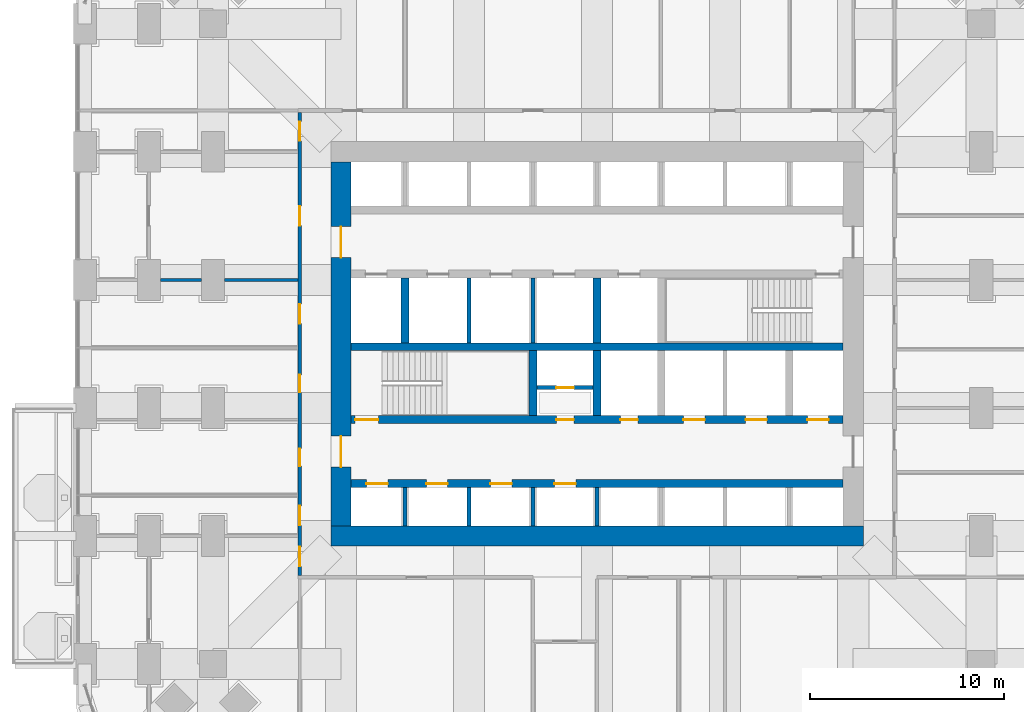
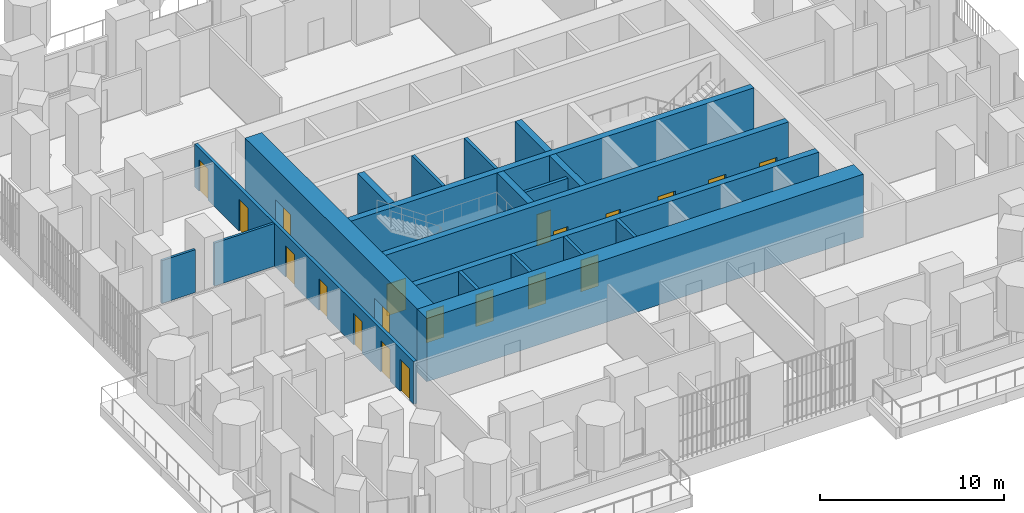
# One storey, part 19 of 27: 20 doors, 19 walls, 20 openings.
"""IFC4 building model written with IfcOpenShell, lengths in metres."""

from ifc_helpers import new_model, si_unit, direction, frame, frame_2d, origin, place, context, subcontext, project, spatial, rectangle, extrude, material, layer, layer_set, type_object, element, fill, save


model = new_model("IFC4")

# Units and contexts
model_context = context("Model", 3, precision=1e-05, world=origin(), true_north=direction((0.0, 1.0)))
body_context = subcontext(model_context, "Body", "Model", "MODEL_VIEW")
ifc_project = project(units=[si_unit("LENGTHUNIT", "METRE"), si_unit("AREAUNIT", "SQUARE_METRE"), si_unit("VOLUMEUNIT", "CUBIC_METRE"), si_unit("PLANEANGLEUNIT", "RADIAN"), si_unit("MASSUNIT", "GRAM", prefix="KILO")], contexts=[model_context])

# Site, building, storey
site_placement = place(None, origin())
site = spatial("IfcSite", under=ifc_project, at=site_placement, CompositionType="ELEMENT")
building_placement = place(site_placement, origin())
building = spatial("IfcBuilding", under=site, at=building_placement, Name="Cobogo Forest Laboratory Tower", CompositionType="ELEMENT")
storey_placement = place(building_placement, frame((0.0, 0.0, 54.89990234375)))
storey = spatial("IfcBuildingStorey", under=building, at=storey_placement, Name="L12", CompositionType="ELEMENT", Elevation=54.89990234375)

# Wall, openings, doors
ifc_material_1 = material(Name="Concrete HA-50 (C50/60)", Category="concrete")
ifc_layer_1 = layer(ifc_material_1, 0.39990234375)
ifc_layer_set_1 = layer_set([ifc_layer_1], Name="CI400 core inner wall 400")
wall_type_1 = type_object("IfcWallType", Name="CI400 core inner wall 400", PredefinedType="SHEAR", material=ifc_layer_set_1)
wall_1_placement = place(storey_placement, frame((13.72509765625, 15.89990234375, 0.0), z_axis=(0.0, 0.0, 1.0), x_axis=(1.0, 0.0, 0.0)))
wall_1 = element("IfcWall", 1, at=wall_1_placement, inside=storey, type_object=wall_type_1, Name="Core wall CI-15.9 L12", PredefinedType="SHEAR", context=body_context, shape_type="SweptSolid", body=[
    extrude(rectangle(XDim=25.349853515625, YDim=0.39990234375, at=frame_2d((12.6748046875, 0.0))), origin(), (0.0, 0.0, 1.0), 4.2001953125),
])
opening_1_placement = place(wall_1_placement, frame((0.78759765625, 0.0, 0.0)))
opening_1 = element("IfcOpeningElement", 2, at=opening_1_placement, cuts=wall_1, Name="Opening L12-LD-LA1", PredefinedType="OPENING", context=body_context, shape_type="SweptSolid", body=[
    extrude(rectangle(XDim=1.10009765625, YDim=2.10009765625, at=frame_2d((0.550048828125, 1.050048828125))), frame((0.0, 0.2099609375, 0.0), z_axis=(0.0, -1.0, 0.0), x_axis=(1.0, 0.0, 0.0)), (0.0, 0.0, 1.0), 0.419921875),
])
opening_2_placement = place(wall_1_placement, frame((3.875, 0.0, 0.0)))
opening_2 = element("IfcOpeningElement", 3, at=opening_2_placement, cuts=wall_1, Name="Opening L12-LD-LA2", PredefinedType="OPENING", context=body_context, shape_type="SweptSolid", body=[
    extrude(rectangle(XDim=1.10009765625, YDim=2.10009765625, at=frame_2d((0.550048828125, 1.050048828125))), frame((0.0, 0.2099609375, 0.0), z_axis=(0.0, -1.0, 0.0), x_axis=(1.0, 0.0, 0.0)), (0.0, 0.0, 1.0), 0.419921875),
])
opening_3_placement = place(wall_1_placement, frame((7.175048828125, 0.0, 0.0)))
opening_3 = element("IfcOpeningElement", 4, at=opening_3_placement, cuts=wall_1, Name="Opening L12-LD-LA3", PredefinedType="OPENING", context=body_context, shape_type="SweptSolid", body=[
    extrude(rectangle(XDim=1.10009765625, YDim=2.10009765625, at=frame_2d((0.550048828125, 1.050048828125))), frame((0.0, 0.2099609375, 0.0), z_axis=(0.0, -1.0, 0.0), x_axis=(1.0, 0.0, 0.0)), (0.0, 0.0, 1.0), 0.419921875),
])
opening_4_placement = place(wall_1_placement, frame((10.47509765625, 0.0, 0.0)))
opening_4 = element("IfcOpeningElement", 5, at=opening_4_placement, cuts=wall_1, Name="Opening L12-LD-LA4", PredefinedType="OPENING", context=body_context, shape_type="SweptSolid", body=[
    extrude(rectangle(XDim=1.10009765625, YDim=2.10009765625, at=frame_2d((0.550048828125, 1.050048828125))), frame((0.0, 0.2099609375, 0.0), z_axis=(0.0, -1.0, 0.0), x_axis=(1.0, 0.0, 0.0)), (0.0, 0.0, 1.0), 0.419921875),
])
ifc_material_2 = material(Name="Stainless steel lift door", Category="steel")
door_type_1 = type_object("IfcDoorType", Name="LD lift landing door 1100", OperationType="DOUBLE_DOOR_SLIDING", PredefinedType="DOOR", material=ifc_material_2)
door_1_placement = place(opening_1_placement, origin())
door_1 = element("IfcDoor", 6, at=door_1_placement, inside=storey, type_object=door_type_1, Name="Lift landing door LA1 L12", OperationType="DOUBLE_DOOR_SLIDING", OverallHeight=2.10009765625, OverallWidth=1.10009765625, PredefinedType="DOOR", context=body_context, shape_type="SweptSolid", body=[
    extrude(rectangle(XDim=1.10009765625, YDim=2.10009765625, at=frame_2d((0.550048828125, 1.050048828125))), frame((0.0, 0.02490234375, 0.0), z_axis=(0.0, -1.0, 0.0), x_axis=(1.0, 0.0, 0.0)), (0.0, 0.0, 1.0), 0.050048828125),
])
fill(opening_1, door_1)
door_2_placement = place(opening_2_placement, origin())
door_2 = element("IfcDoor", 7, at=door_2_placement, inside=storey, type_object=door_type_1, Name="Lift landing door LA2 L12", OperationType="DOUBLE_DOOR_SLIDING", OverallHeight=2.10009765625, OverallWidth=1.10009765625, PredefinedType="DOOR", context=body_context, shape_type="SweptSolid", body=[
    extrude(rectangle(XDim=1.10009765625, YDim=2.10009765625, at=frame_2d((0.550048828125, 1.050048828125))), frame((0.0, 0.02490234375, 0.0), z_axis=(0.0, -1.0, 0.0), x_axis=(1.0, 0.0, 0.0)), (0.0, 0.0, 1.0), 0.050048828125),
])
fill(opening_2, door_2)
door_3_placement = place(opening_3_placement, origin())
door_3 = element("IfcDoor", 8, at=door_3_placement, inside=storey, type_object=door_type_1, Name="Lift landing door LA3 L12", OperationType="DOUBLE_DOOR_SLIDING", OverallHeight=2.10009765625, OverallWidth=1.10009765625, PredefinedType="DOOR", context=body_context, shape_type="SweptSolid", body=[
    extrude(rectangle(XDim=1.10009765625, YDim=2.10009765625, at=frame_2d((0.550048828125, 1.050048828125))), frame((0.0, 0.02490234375, 0.0), z_axis=(0.0, -1.0, 0.0), x_axis=(1.0, 0.0, 0.0)), (0.0, 0.0, 1.0), 0.050048828125),
])
fill(opening_3, door_3)
door_4_placement = place(opening_4_placement, origin())
door_4 = element("IfcDoor", 9, at=door_4_placement, inside=storey, type_object=door_type_1, Name="Lift landing door LA4 L12", OperationType="DOUBLE_DOOR_SLIDING", OverallHeight=2.10009765625, OverallWidth=1.10009765625, PredefinedType="DOOR", context=body_context, shape_type="SweptSolid", body=[
    extrude(rectangle(XDim=1.10009765625, YDim=2.10009765625, at=frame_2d((0.550048828125, 1.050048828125))), frame((0.0, 0.02490234375, 0.0), z_axis=(0.0, -1.0, 0.0), x_axis=(1.0, 0.0, 0.0)), (0.0, 0.0, 1.0), 0.050048828125),
])
fill(opening_4, door_4)

wall_2_placement = place(storey_placement, frame((13.72509765625, 19.199951171875, 0.0), z_axis=(0.0, 0.0, 1.0), x_axis=(1.0, 0.0, 0.0)))
wall_2 = element("IfcWall", 10, at=wall_2_placement, inside=storey, type_object=wall_type_1, Name="Core wall CI-19.2 L12", PredefinedType="SHEAR", context=body_context, shape_type="SweptSolid", body=[
    extrude(rectangle(XDim=25.349853515625, YDim=0.39990234375, at=frame_2d((12.6748046875, 0.0))), origin(), (0.0, 0.0, 1.0), 4.2001953125),
])
opening_5_placement = place(wall_2_placement, frame((10.574951171875, 0.0, 0.0)))
opening_5 = element("IfcOpeningElement", 11, at=opening_5_placement, cuts=wall_2, Name="Opening L12-D24", PredefinedType="OPENING", context=body_context, shape_type="SweptSolid", body=[
    extrude(rectangle(XDim=0.89990234375, YDim=2.10009765625, at=frame_2d((0.449951171875, 1.050048828125))), frame((0.0, 0.2099609375, 0.0), z_axis=(0.0, -1.0, 0.0), x_axis=(1.0, 0.0, 0.0)), (0.0, 0.0, 1.0), 0.419921875),
])
opening_6_placement = place(wall_2_placement, frame((13.875, 0.0, 0.0)))
opening_6 = element("IfcOpeningElement", 12, at=opening_6_placement, cuts=wall_2, Name="Opening L12-D25", PredefinedType="OPENING", context=body_context, shape_type="SweptSolid", body=[
    extrude(rectangle(XDim=0.89990234375, YDim=2.10009765625, at=frame_2d((0.449951171875, 1.050048828125))), frame((0.0, 0.2099609375, 0.0), z_axis=(0.0, -1.0, 0.0), x_axis=(1.0, 0.0, 0.0)), (0.0, 0.0, 1.0), 0.419921875),
])
opening_7_placement = place(wall_2_placement, frame((0.199951171875, 0.0, 0.0)))
opening_7 = element("IfcOpeningElement", 13, at=opening_7_placement, cuts=wall_2, Name="Opening L12-D23", PredefinedType="OPENING", context=body_context, shape_type="SweptSolid", body=[
    extrude(rectangle(XDim=1.199951171875, YDim=2.10009765625, at=frame_2d((0.60009765625, 1.050048828125))), frame((0.0, 0.2099609375, 0.0), z_axis=(0.0, -1.0, 0.0), x_axis=(1.0, 0.0, 0.0)), (0.0, 0.0, 1.0), 0.419921875),
])
opening_8_placement = place(wall_2_placement, frame((23.512451171875, 0.0, 0.0)))
opening_8 = element("IfcOpeningElement", 14, at=opening_8_placement, cuts=wall_2, Name="Opening L12-LD-FL2", PredefinedType="OPENING", context=body_context, shape_type="SweptSolid", body=[
    extrude(rectangle(XDim=1.10009765625, YDim=2.10009765625, at=frame_2d((0.550048828125, 1.050048828125))), frame((0.0, 0.2099609375, 0.0), z_axis=(0.0, -1.0, 0.0), x_axis=(1.0, 0.0, 0.0)), (0.0, 0.0, 1.0), 0.419921875),
])
opening_9_placement = place(wall_2_placement, frame((17.125, 0.0, 0.0)))
opening_9 = element("IfcOpeningElement", 15, at=opening_9_placement, cuts=wall_2, Name="Opening L12-LD-LS1", PredefinedType="OPENING", context=body_context, shape_type="SweptSolid", body=[
    extrude(rectangle(XDim=1.10009765625, YDim=2.10009765625, at=frame_2d((0.550048828125, 1.050048828125))), frame((0.0, 0.2099609375, 0.0), z_axis=(0.0, -1.0, 0.0), x_axis=(1.0, 0.0, 0.0)), (0.0, 0.0, 1.0), 0.419921875),
])
opening_10_placement = place(wall_2_placement, frame((20.324951171875, 0.0, 0.0)))
opening_10 = element("IfcOpeningElement", 16, at=opening_10_placement, cuts=wall_2, Name="Opening L12-LD-LS2", PredefinedType="OPENING", context=body_context, shape_type="SweptSolid", body=[
    extrude(rectangle(XDim=1.10009765625, YDim=2.10009765625, at=frame_2d((0.550048828125, 1.050048828125))), frame((0.0, 0.2099609375, 0.0), z_axis=(0.0, -1.0, 0.0), x_axis=(1.0, 0.0, 0.0)), (0.0, 0.0, 1.0), 0.419921875),
])
ifc_material_3 = material(Name="Steel fire door", Category="steel")
door_type_2 = type_object("IfcDoorType", Name="DS1 protected stair door 1200 EI2 60", OperationType="SINGLE_SWING_LEFT", PredefinedType="DOOR", material=ifc_material_3)
door_5_placement = place(opening_7_placement, origin())
door_5 = element("IfcDoor", 17, at=door_5_placement, inside=storey, type_object=door_type_2, Name="Door L12-ST1", OperationType="SINGLE_SWING_LEFT", OverallHeight=2.10009765625, OverallWidth=1.199951171875, PredefinedType="DOOR", context=body_context, shape_type="SweptSolid", body=[
    extrude(rectangle(XDim=1.199951171875, YDim=2.10009765625, at=frame_2d((0.60009765625, 1.050048828125))), frame((0.0, 0.02490234375, 0.0), z_axis=(0.0, -1.0, 0.0), x_axis=(1.0, 0.0, 0.0)), (0.0, 0.0, 1.0), 0.050048828125),
])
fill(opening_7, door_5)
door_type_3 = type_object("IfcDoorType", Name="FD4 riser access door 900 EI2 60", OperationType="SINGLE_SWING_LEFT", PredefinedType="DOOR", material=ifc_material_3)
door_6_placement = place(opening_5_placement, origin())
door_6 = element("IfcDoor", 18, at=door_6_placement, inside=storey, type_object=door_type_3, Name="Door L12-R1V", OperationType="SINGLE_SWING_LEFT", OverallHeight=2.10009765625, OverallWidth=0.89990234375, PredefinedType="DOOR", context=body_context, shape_type="SweptSolid", body=[
    extrude(rectangle(XDim=0.89990234375, YDim=2.10009765625, at=frame_2d((0.449951171875, 1.050048828125))), frame((0.0, 0.02490234375, 0.0), z_axis=(0.0, -1.0, 0.0), x_axis=(1.0, 0.0, 0.0)), (0.0, 0.0, 1.0), 0.050048828125),
])
fill(opening_5, door_6)
door_7_placement = place(opening_6_placement, origin())
door_7 = element("IfcDoor", 19, at=door_7_placement, inside=storey, type_object=door_type_3, Name="Door L12-R2", OperationType="SINGLE_SWING_RIGHT", OverallHeight=2.10009765625, OverallWidth=0.89990234375, PredefinedType="DOOR", context=body_context, shape_type="SweptSolid", body=[
    extrude(rectangle(XDim=0.89990234375, YDim=2.10009765625, at=frame_2d((0.449951171875, 1.050048828125))), frame((0.0, 0.02490234375, 0.0), z_axis=(0.0, -1.0, 0.0), x_axis=(1.0, 0.0, 0.0)), (0.0, 0.0, 1.0), 0.050048828125),
])
fill(opening_6, door_7)
door_8_placement = place(opening_8_placement, origin())
door_8 = element("IfcDoor", 20, at=door_8_placement, inside=storey, type_object=door_type_1, Name="Lift landing door FL2 L12", OperationType="DOUBLE_DOOR_SLIDING", OverallHeight=2.10009765625, OverallWidth=1.10009765625, PredefinedType="DOOR", context=body_context, shape_type="SweptSolid", body=[
    extrude(rectangle(XDim=1.10009765625, YDim=2.10009765625, at=frame_2d((0.550048828125, 1.050048828125))), frame((0.0, 0.02490234375, 0.0), z_axis=(0.0, -1.0, 0.0), x_axis=(1.0, 0.0, 0.0)), (0.0, 0.0, 1.0), 0.050048828125),
])
fill(opening_8, door_8)
door_9_placement = place(opening_9_placement, origin())
door_9 = element("IfcDoor", 21, at=door_9_placement, inside=storey, type_object=door_type_1, Name="Lift landing door LS1 L12", OperationType="DOUBLE_DOOR_SLIDING", OverallHeight=2.10009765625, OverallWidth=1.10009765625, PredefinedType="DOOR", context=body_context, shape_type="SweptSolid", body=[
    extrude(rectangle(XDim=1.10009765625, YDim=2.10009765625, at=frame_2d((0.550048828125, 1.050048828125))), frame((0.0, 0.02490234375, 0.0), z_axis=(0.0, -1.0, 0.0), x_axis=(1.0, 0.0, 0.0)), (0.0, 0.0, 1.0), 0.050048828125),
])
fill(opening_9, door_9)
door_10_placement = place(opening_10_placement, origin())
door_10 = element("IfcDoor", 22, at=door_10_placement, inside=storey, type_object=door_type_1, Name="Lift landing door LS2 L12", OperationType="DOUBLE_DOOR_SLIDING", OverallHeight=2.10009765625, OverallWidth=1.10009765625, PredefinedType="DOOR", context=body_context, shape_type="SweptSolid", body=[
    extrude(rectangle(XDim=1.10009765625, YDim=2.10009765625, at=frame_2d((0.550048828125, 1.050048828125))), frame((0.0, 0.02490234375, 0.0), z_axis=(0.0, -1.0, 0.0), x_axis=(1.0, 0.0, 0.0)), (0.0, 0.0, 1.0), 0.050048828125),
])
fill(opening_10, door_10)

# Walls
wall_3_placement = place(storey_placement, frame((13.72509765625, 22.949951171875, 0.0), z_axis=(0.0, 0.0, 1.0), x_axis=(1.0, 0.0, 0.0)))
element("IfcWall", 23, at=wall_3_placement, inside=storey, type_object=wall_type_1, Name="Core wall CI-22.95 L12", PredefinedType="SHEAR", context=body_context, shape_type="SweptSolid", body=[
    extrude(rectangle(XDim=25.349853515625, YDim=0.39990234375, at=frame_2d((12.6748046875, 0.0))), origin(), (0.0, 0.0, 1.0), 4.2001953125),
])
for number, where, z_axis, x_axis, name in (
    (24, (23.10009765625, 19.39990234375, 0.0), (0.0, 0.0, 1.0), (0.0, 1.0, 0.0), "Core wall CX-23.1 L12"),
    (25, (26.39990234375, 19.39990234375, 0.0), (0.0, 0.0, 1.0), (0.0, 1.0, 0.0), "Core wall CX-26.4S L12"),
    (26, (16.5, 23.14990234375, 0.0), (0.0, 0.0, 1.0), (0.0, 1.0, 0.0), "Core wall CX-16.5 L12"),
    (27, (26.39990234375, 23.14990234375, 0.0), (0.0, 0.0, 1.0), (0.0, 1.0, 0.0), "Core wall CX-26.4N L12"),
):
    element("IfcWall", number, at=place(storey_placement, frame(where, z_axis=z_axis, x_axis=x_axis)), inside=storey, type_object=wall_type_1, Name=name, PredefinedType="SHEAR", context=body_context, shape_type="SweptSolid", body=[
        extrude(rectangle(XDim=3.35009765625, YDim=0.39990234375, at=frame_2d((1.675048828125, 0.0))), origin(), (0.0, 0.0, 1.0), 4.2001953125),
    ])
ifc_layer_2 = layer(ifc_material_1, 1.050048828125)
ifc_layer_set_2 = layer_set([ifc_layer_2], Name="CW1050 core outer wall 1050")
wall_type_2 = type_object("IfcWallType", Name="CW1050 core outer wall 1050", PredefinedType="SHEAR", material=ifc_layer_set_2)
wall_4_placement = place(storey_placement, frame((12.675048828125, 13.199951171875, 0.0), z_axis=(0.0, 0.0, 1.0), x_axis=(1.0, 0.0, 0.0)))
element("IfcWall", 28, at=wall_4_placement, inside=storey, type_object=wall_type_2, Name="Core wall CO-S L12", PredefinedType="SHEAR", context=body_context, shape_type="SweptSolid", body=[
    extrude(rectangle(XDim=27.449951171875, YDim=1.050048828125, at=frame_2d((13.72509765625, 0.0))), origin(), (0.0, 0.0, 1.0), 4.2001953125),
])

# Wall, openings, doors
wall_5_placement = place(storey_placement, frame((13.199951171875, 32.47509765625, 0.0), z_axis=(0.0, 0.0, 1.0), x_axis=(0.0, -1.0, 0.0)))
wall_5 = element("IfcWall", 29, at=wall_5_placement, inside=storey, type_object=wall_type_2, Name="Core wall CO-W L12", PredefinedType="SHEAR", context=body_context, shape_type="SweptSolid", body=[
    extrude(rectangle(XDim=18.75, YDim=1.050048828125, at=frame_2d((9.375, 0.0))), origin(), (0.0, 0.0, 1.0), 4.2001953125),
])
opening_11_placement = place(wall_5_placement, frame((14.125, 0.0, 0.0)))
opening_11 = element("IfcOpeningElement", 30, at=opening_11_placement, cuts=wall_5, Name="Opening L12-D19", PredefinedType="OPENING", context=body_context, shape_type="SweptSolid", body=[
    extrude(rectangle(XDim=1.60009765625, YDim=2.10009765625, at=frame_2d((0.800048828125, 1.050048828125))), frame((0.0, 0.534912109375, 0.0), z_axis=(0.0, -1.0, 0.0), x_axis=(1.0, 0.0, 0.0)), (0.0, 0.0, 1.0), 1.070068359375),
])
opening_12_placement = place(wall_5_placement, frame((3.324951171875, 0.0, 0.0)))
opening_12 = element("IfcOpeningElement", 31, at=opening_12_placement, cuts=wall_5, Name="Opening L12-D34", PredefinedType="OPENING", context=body_context, shape_type="SweptSolid", body=[
    extrude(rectangle(XDim=1.60009765625, YDim=2.10009765625, at=frame_2d((0.800048828125, 1.050048828125))), frame((0.0, 0.534912109375, 0.0), z_axis=(0.0, -1.0, 0.0), x_axis=(1.0, 0.0, 0.0)), (0.0, 0.0, 1.0), 1.070068359375),
])
door_type_4 = type_object("IfcDoorType", Name="DS2 protected lobby door pair 1600 EI2 60", OperationType="DOUBLE_DOOR_DOUBLE_SWING", PredefinedType="DOOR", material=ifc_material_3)
door_11_placement = place(opening_11_placement, origin())
door_11 = element("IfcDoor", 32, at=door_11_placement, inside=storey, type_object=door_type_4, Name="Door L12-CO-W-S", OperationType="DOUBLE_DOOR_DOUBLE_SWING", OverallHeight=2.10009765625, OverallWidth=1.60009765625, PredefinedType="DOOR", context=body_context, shape_type="SweptSolid", body=[
    extrude(rectangle(XDim=1.60009765625, YDim=2.10009765625, at=frame_2d((0.800048828125, 1.050048828125))), frame((0.0, 0.02490234375, 0.0), z_axis=(0.0, -1.0, 0.0), x_axis=(1.0, 0.0, 0.0)), (0.0, 0.0, 1.0), 0.050048828125),
])
fill(opening_11, door_11)
door_12_placement = place(opening_12_placement, origin())
door_12 = element("IfcDoor", 33, at=door_12_placement, inside=storey, type_object=door_type_4, Name="Door L12-CO-W-N", OperationType="DOUBLE_DOOR_DOUBLE_SWING", OverallHeight=2.10009765625, OverallWidth=1.60009765625, PredefinedType="DOOR", context=body_context, shape_type="SweptSolid", body=[
    extrude(rectangle(XDim=1.60009765625, YDim=2.10009765625, at=frame_2d((0.800048828125, 1.050048828125))), frame((0.0, 0.02490234375, 0.0), z_axis=(0.0, -1.0, 0.0), x_axis=(1.0, 0.0, 0.0)), (0.0, 0.0, 1.0), 0.050048828125),
])
fill(opening_12, door_12)

# Walls
ifc_material_4 = material(Name="Gypsum board on steel studs", Category="steel")
ifc_layer_3 = layer(ifc_material_4, 0.14990234375)
ifc_layer_set_3 = layer_set([ifc_layer_3], Name="PT1 laboratory partition 150")
wall_type_3 = type_object("IfcWallType", Name="PT1 laboratory partition 150", PredefinedType="PARTITIONING", material=ifc_layer_set_3)
wall_6_placement = place(storey_placement, frame((3.89990234375, 26.39990234375, 0.0), z_axis=(0.0, 0.0, 1.0), x_axis=(1.0, 0.0, 0.0)))
element("IfcWall", 34, at=wall_6_placement, inside=storey, type_object=wall_type_3, Name="Partition CUT-W26.4-2 L12", PredefinedType="PARTITIONING", context=body_context, shape_type="SweptSolid", body=[
    extrude(rectangle(XDim=2.10009765625, YDim=0.14990234375, at=frame_2d((1.050048828125, 0.0))), origin(), (0.0, 0.0, 1.0), 2.85009765625),
])
wall_7_placement = place(storey_placement, frame((7.199951171875, 26.39990234375, 0.0), z_axis=(0.0, 0.0, 1.0), x_axis=(1.0, 0.0, 0.0)))
element("IfcWall", 35, at=wall_7_placement, inside=storey, type_object=wall_type_3, Name="Partition CUT-W26.4-3 L12", PredefinedType="PARTITIONING", context=body_context, shape_type="SweptSolid", body=[
    extrude(rectangle(XDim=3.775146484375, YDim=0.14990234375, at=frame_2d((1.8876953125, 0.0))), origin(), (0.0, 0.0, 1.0), 2.85009765625),
])

# Wall, openings, doors
ifc_layer_4 = layer(ifc_material_4, 0.199951171875)
ifc_layer_set_4 = layer_set([ifc_layer_4], Name="PT2 fire-rated corridor partition 200")
wall_type_4 = type_object("IfcWallType", Name="PT2 fire-rated corridor partition 200", PredefinedType="PARTITIONING", material=ifc_layer_set_4)
wall_8_placement = place(storey_placement, frame((11.074951171875, 11.175048828125, 0.0), z_axis=(0.0, 0.0, 1.0), x_axis=(0.0, 1.0, 0.0)))
wall_8 = element("IfcWall", 36, at=wall_8_placement, inside=storey, type_object=wall_type_4, Name="Partition CORR-W L12", PredefinedType="PARTITIONING", context=body_context, shape_type="SweptSolid", body=[
    extrude(rectangle(XDim=23.849853515625, YDim=0.199951171875, at=frame_2d((11.9248046875, 0.0))), origin(), (0.0, 0.0, 1.0), 2.85009765625),
])
opening_13_placement = place(wall_8_placement, frame((0.46240234375, 0.0, 0.0)))
opening_13 = element("IfcOpeningElement", 37, at=opening_13_placement, cuts=wall_8, Name="Opening L12-D14", PredefinedType="OPENING", context=body_context, shape_type="SweptSolid", body=[
    extrude(rectangle(XDim=1.0, YDim=2.10009765625, at=frame_2d((0.5, 1.050048828125))), frame((0.0, 0.10986328125, 0.0), z_axis=(0.0, -1.0, 0.0), x_axis=(1.0, 0.0, 0.0)), (0.0, 0.0, 1.0), 0.219970703125),
])
opening_14_placement = place(wall_8_placement, frame((2.574951171875, 0.0, 0.0)))
opening_14 = element("IfcOpeningElement", 38, at=opening_14_placement, cuts=wall_8, Name="Opening L12-D16", PredefinedType="OPENING", context=body_context, shape_type="SweptSolid", body=[
    extrude(rectangle(XDim=1.0, YDim=2.10009765625, at=frame_2d((0.5, 1.050048828125))), frame((0.0, 0.10986328125, 0.0), z_axis=(0.0, -1.0, 0.0), x_axis=(1.0, 0.0, 0.0)), (0.0, 0.0, 1.0), 0.219970703125),
])
opening_15_placement = place(wall_8_placement, frame((5.625, 0.0, 0.0)))
opening_15 = element("IfcOpeningElement", 39, at=opening_15_placement, cuts=wall_8, Name="Opening L12-D18", PredefinedType="OPENING", context=body_context, shape_type="SweptSolid", body=[
    extrude(rectangle(XDim=0.89990234375, YDim=2.10009765625, at=frame_2d((0.449951171875, 1.050048828125))), frame((0.0, 0.10986328125, 0.0), z_axis=(0.0, -1.0, 0.0), x_axis=(1.0, 0.0, 0.0)), (0.0, 0.0, 1.0), 0.219970703125),
])
opening_16_placement = place(wall_8_placement, frame((9.425048828125, 0.0, 0.0)))
opening_16 = element("IfcOpeningElement", 40, at=opening_16_placement, cuts=wall_8, Name="Opening L12-D27", PredefinedType="OPENING", context=body_context, shape_type="SweptSolid", body=[
    extrude(rectangle(XDim=0.89990234375, YDim=2.10009765625, at=frame_2d((0.449951171875, 1.050048828125))), frame((0.0, 0.10986328125, 0.0), z_axis=(0.0, -1.0, 0.0), x_axis=(1.0, 0.0, 0.0)), (0.0, 0.0, 1.0), 0.219970703125),
])
opening_17_placement = place(wall_8_placement, frame((12.97509765625, 0.0, 0.0)))
opening_17 = element("IfcOpeningElement", 41, at=opening_17_placement, cuts=wall_8, Name="Opening L12-D30", PredefinedType="OPENING", context=body_context, shape_type="SweptSolid", body=[
    extrude(rectangle(XDim=1.0, YDim=2.10009765625, at=frame_2d((0.5, 1.050048828125))), frame((0.0, 0.10986328125, 0.0), z_axis=(0.0, -1.0, 0.0), x_axis=(1.0, 0.0, 0.0)), (0.0, 0.0, 1.0), 0.219970703125),
])
opening_18_placement = place(wall_8_placement, frame((18.02490234375, 0.0, 0.0)))
opening_18 = element("IfcOpeningElement", 42, at=opening_18_placement, cuts=wall_8, Name="Opening L12-D37", PredefinedType="OPENING", context=body_context, shape_type="SweptSolid", body=[
    extrude(rectangle(XDim=1.0, YDim=2.10009765625, at=frame_2d((0.5, 1.050048828125))), frame((0.0, 0.10986328125, 0.0), z_axis=(0.0, -1.0, 0.0), x_axis=(1.0, 0.0, 0.0)), (0.0, 0.0, 1.0), 0.219970703125),
])
opening_19_placement = place(wall_8_placement, frame((22.387451171875, 0.0, 0.0)))
opening_19 = element("IfcOpeningElement", 43, at=opening_19_placement, cuts=wall_8, Name="Opening L12-D39", PredefinedType="OPENING", context=body_context, shape_type="SweptSolid", body=[
    extrude(rectangle(XDim=1.0, YDim=2.10009765625, at=frame_2d((0.5, 1.050048828125))), frame((0.0, 0.10986328125, 0.0), z_axis=(0.0, -1.0, 0.0), x_axis=(1.0, 0.0, 0.0)), (0.0, 0.0, 1.0), 0.219970703125),
])
door_type_5 = type_object("IfcDoorType", Name="FD1 fire door 1000 EI2 60", OperationType="SINGLE_SWING_LEFT", PredefinedType="DOOR", material=ifc_material_3)
door_13_placement = place(opening_18_placement, origin())
door_13 = element("IfcDoor", 44, at=door_13_placement, inside=storey, type_object=door_type_5, Name="Door L12-W3", OperationType="SINGLE_SWING_RIGHT", OverallHeight=2.10009765625, OverallWidth=1.0, PredefinedType="DOOR", context=body_context, shape_type="SweptSolid", body=[
    extrude(rectangle(XDim=1.0, YDim=2.10009765625, at=frame_2d((0.5, 1.050048828125))), frame((0.0, 0.02490234375, 0.0), z_axis=(0.0, -1.0, 0.0), x_axis=(1.0, 0.0, 0.0)), (0.0, 0.0, 1.0), 0.050048828125),
])
fill(opening_18, door_13)
ifc_material_5 = material(Name="Timber fire door", Category="wood")
door_type_6 = type_object("IfcDoorType", Name="FD2 fire door 1000 EI2 30", OperationType="SINGLE_SWING_LEFT", PredefinedType="DOOR", material=ifc_material_5)
door_14_placement = place(opening_13_placement, origin())
door_14 = element("IfcDoor", 45, at=door_14_placement, inside=storey, type_object=door_type_6, Name="Door L12-W1", OperationType="SINGLE_SWING_LEFT", OverallHeight=2.10009765625, OverallWidth=1.0, PredefinedType="DOOR", context=body_context, shape_type="SweptSolid", body=[
    extrude(rectangle(XDim=1.0, YDim=2.10009765625, at=frame_2d((0.5, 1.050048828125))), frame((0.0, 0.02490234375, 0.0), z_axis=(0.0, -1.0, 0.0), x_axis=(1.0, 0.0, 0.0)), (0.0, 0.0, 1.0), 0.050048828125),
])
fill(opening_13, door_14)
door_15_placement = place(opening_17_placement, origin())
door_15 = element("IfcDoor", 46, at=door_15_placement, inside=storey, type_object=door_type_6, Name="Door L12-SHW", OperationType="SINGLE_SWING_RIGHT", OverallHeight=2.10009765625, OverallWidth=1.0, PredefinedType="DOOR", context=body_context, shape_type="SweptSolid", body=[
    extrude(rectangle(XDim=1.0, YDim=2.10009765625, at=frame_2d((0.5, 1.050048828125))), frame((0.0, 0.02490234375, 0.0), z_axis=(0.0, -1.0, 0.0), x_axis=(1.0, 0.0, 0.0)), (0.0, 0.0, 1.0), 0.050048828125),
])
fill(opening_17, door_15)
door_16_placement = place(opening_19_placement, origin())
door_16 = element("IfcDoor", 47, at=door_16_placement, inside=storey, type_object=door_type_6, Name="Door L12-W4", OperationType="SINGLE_SWING_RIGHT", OverallHeight=2.10009765625, OverallWidth=1.0, PredefinedType="DOOR", context=body_context, shape_type="SweptSolid", body=[
    extrude(rectangle(XDim=1.0, YDim=2.10009765625, at=frame_2d((0.5, 1.050048828125))), frame((0.0, 0.02490234375, 0.0), z_axis=(0.0, -1.0, 0.0), x_axis=(1.0, 0.0, 0.0)), (0.0, 0.0, 1.0), 0.050048828125),
])
fill(opening_19, door_16)
door_type_7 = type_object("IfcDoorType", Name="FD3 toilet fire door 900 EI2 30", OperationType="SINGLE_SWING_LEFT", PredefinedType="DOOR", material=ifc_material_5)
door_17_placement = place(opening_15_placement, origin())
door_17 = element("IfcDoor", 48, at=door_17_placement, inside=storey, type_object=door_type_7, Name="Door L12-WCF", OperationType="SINGLE_SWING_LEFT", OverallHeight=2.10009765625, OverallWidth=0.89990234375, PredefinedType="DOOR", context=body_context, shape_type="SweptSolid", body=[
    extrude(rectangle(XDim=0.89990234375, YDim=2.10009765625, at=frame_2d((0.449951171875, 1.050048828125))), frame((0.0, 0.02490234375, 0.0), z_axis=(0.0, -1.0, 0.0), x_axis=(1.0, 0.0, 0.0)), (0.0, 0.0, 1.0), 0.050048828125),
])
fill(opening_15, door_17)
door_18_placement = place(opening_16_placement, origin())
door_18 = element("IfcDoor", 49, at=door_18_placement, inside=storey, type_object=door_type_7, Name="Door L12-WCM", OperationType="SINGLE_SWING_LEFT", OverallHeight=2.10009765625, OverallWidth=0.89990234375, PredefinedType="DOOR", context=body_context, shape_type="SweptSolid", body=[
    extrude(rectangle(XDim=0.89990234375, YDim=2.10009765625, at=frame_2d((0.449951171875, 1.050048828125))), frame((0.0, 0.02490234375, 0.0), z_axis=(0.0, -1.0, 0.0), x_axis=(1.0, 0.0, 0.0)), (0.0, 0.0, 1.0), 0.050048828125),
])
fill(opening_16, door_18)
door_type_8 = type_object("IfcDoorType", Name="FDA1 accessible toilet fire door 1000 EI2 30", OperationType="SINGLE_SWING_RIGHT", PredefinedType="DOOR", material=ifc_material_5)
door_19_placement = place(opening_14_placement, origin())
door_19 = element("IfcDoor", 50, at=door_19_placement, inside=storey, type_object=door_type_8, Name="Door L12-WCA", OperationType="SINGLE_SWING_LEFT", OverallHeight=2.10009765625, OverallWidth=1.0, PredefinedType="DOOR", context=body_context, shape_type="SweptSolid", body=[
    extrude(rectangle(XDim=1.0, YDim=2.10009765625, at=frame_2d((0.5, 1.050048828125))), frame((0.0, 0.02490234375, 0.0), z_axis=(0.0, -1.0, 0.0), x_axis=(1.0, 0.0, 0.0)), (0.0, 0.0, 1.0), 0.050048828125),
])
fill(opening_14, door_19)

# Wall, opening, door
wall_9_placement = place(storey_placement, frame((23.300048828125, 20.85009765625, 0.0), z_axis=(0.0, 0.0, 1.0), x_axis=(1.0, 0.0, 0.0)))
wall_9 = element("IfcWall", 51, at=wall_9_placement, inside=storey, type_object=wall_type_4, Name="Partition RSPLIT-R1 L12", PredefinedType="PARTITIONING", context=body_context, shape_type="SweptSolid", body=[
    extrude(rectangle(XDim=2.89990234375, YDim=0.199951171875, at=frame_2d((1.449951171875, 0.0))), origin(), (0.0, 0.0, 1.0), 3.900146484375),
])
opening_20_placement = place(wall_9_placement, frame((1.0, 0.0, 0.0)))
opening_20 = element("IfcOpeningElement", 52, at=opening_20_placement, cuts=wall_9, Name="Opening L12-D26", PredefinedType="OPENING", context=body_context, shape_type="SweptSolid", body=[
    extrude(rectangle(XDim=0.89990234375, YDim=2.10009765625, at=frame_2d((0.449951171875, 1.050048828125))), frame((0.0, 0.10986328125, 0.0), z_axis=(0.0, -1.0, 0.0), x_axis=(1.0, 0.0, 0.0)), (0.0, 0.0, 1.0), 0.219970703125),
])
door_20_placement = place(opening_20_placement, origin())
door_20 = element("IfcDoor", 53, at=door_20_placement, inside=storey, type_object=door_type_3, Name="Door L12-R1", OperationType="SINGLE_SWING_LEFT", OverallHeight=2.10009765625, OverallWidth=0.89990234375, PredefinedType="DOOR", context=body_context, shape_type="SweptSolid", body=[
    extrude(rectangle(XDim=0.89990234375, YDim=2.10009765625, at=frame_2d((0.449951171875, 1.050048828125))), frame((0.0, 0.02490234375, 0.0), z_axis=(0.0, -1.0, 0.0), x_axis=(1.0, 0.0, 0.0)), (0.0, 0.0, 1.0), 0.050048828125),
])
fill(opening_20, door_20)

# Walls
ifc_material_6 = material(Name="Concrete block", Category="concrete")
ifc_layer_5 = layer(ifc_material_6, 0.199951171875)
ifc_layer_set_5 = layer_set([ifc_layer_5], Name="SW200 lift shaft separator 200")
wall_type_5 = type_object("IfcWallType", Name="SW200 lift shaft separator 200", PredefinedType="PARTITIONING", material=ifc_layer_set_5)
for number, where, z_axis, x_axis, name in (
    (54, (16.5, 13.72509765625, 0.0), (0.0, 0.0, 1.0), (0.0, 1.0, 0.0), "Core wall SEP-S1 L12"),
    (55, (19.800048828125, 13.72509765625, 0.0), (0.0, 0.0, 1.0), (0.0, 1.0, 0.0), "Core wall SEP-S2 L12"),
    (56, (23.10009765625, 13.72509765625, 0.0), (0.0, 0.0, 1.0), (0.0, 1.0, 0.0), "Core wall SEP-S3 L12"),
    (57, (26.39990234375, 13.72509765625, 0.0), (0.0, 0.0, 1.0), (0.0, 1.0, 0.0), "Core wall SEP-S4 L12"),
):
    element("IfcWall", number, at=place(storey_placement, frame(where, z_axis=z_axis, x_axis=x_axis)), inside=storey, type_object=wall_type_5, Name=name, PredefinedType="PARTITIONING", context=body_context, shape_type="SweptSolid", body=[
        extrude(rectangle(XDim=1.974853515625, YDim=0.199951171875, at=frame_2d((0.9873046875, 0.0))), origin(), (0.0, 0.0, 1.0), 4.2001953125),
    ])
for number, where, z_axis, x_axis, name in (
    (58, (19.800048828125, 23.14990234375, 0.0), (0.0, 0.0, 1.0), (0.0, 1.0, 0.0), "Core wall SEP-M19.8 L12"),
    (59, (23.10009765625, 23.14990234375, 0.0), (0.0, 0.0, 1.0), (0.0, 1.0, 0.0), "Core wall SEP-M23.1 L12"),
):
    element("IfcWall", number, at=place(storey_placement, frame(where, z_axis=z_axis, x_axis=x_axis)), inside=storey, type_object=wall_type_5, Name=name, PredefinedType="PARTITIONING", context=body_context, shape_type="SweptSolid", body=[
        extrude(rectangle(XDim=3.35009765625, YDim=0.199951171875, at=frame_2d((1.675048828125, 0.0))), origin(), (0.0, 0.0, 1.0), 4.2001953125),
    ])

save(model, "model.ifc")
